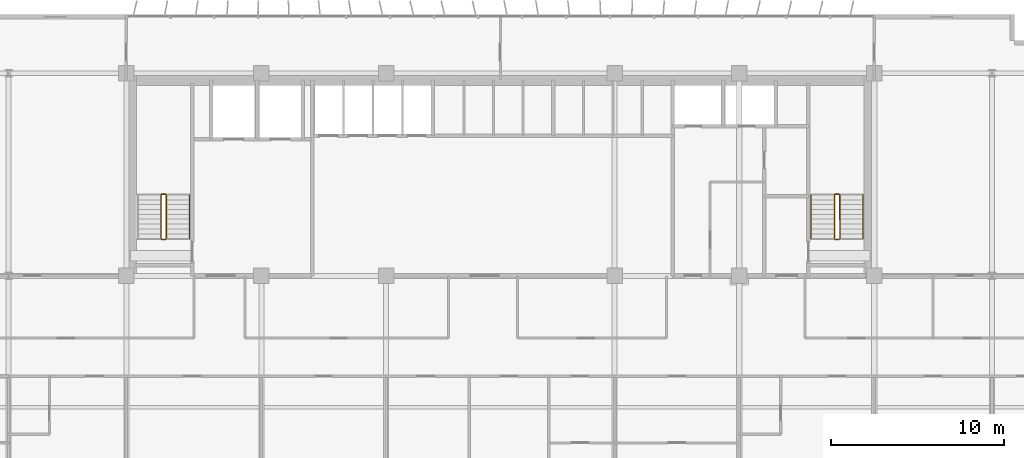
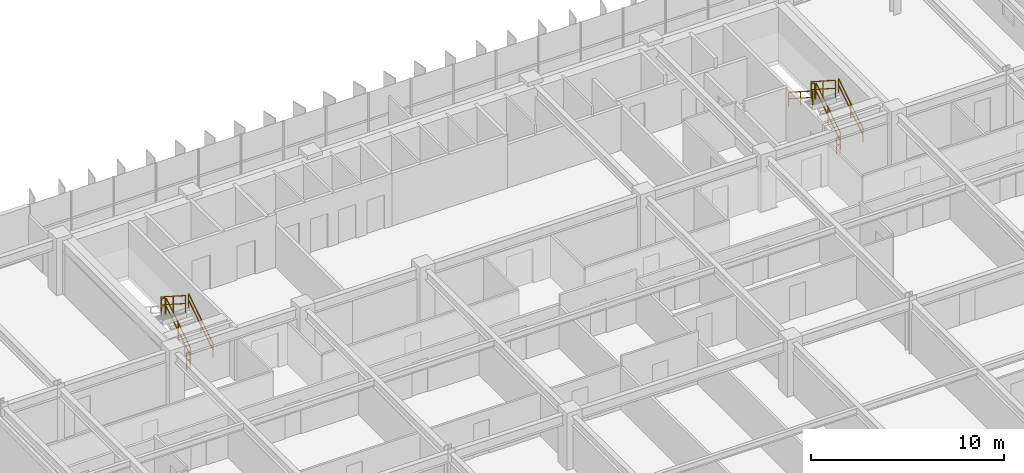
# One storey, part 21 of 22: 11 railings.
"""IFC4 building model written with IfcOpenShell, lengths in metres."""

from ifc_helpers import new_model, si_unit, direction, frame, origin, origin_2d, place, context, subcontext, project, spatial, rectangle, extrude, material, type_object, element, save


model = new_model("IFC4")

# Units and contexts
model_context = context("Model", 3, precision=1e-05, world=origin(), true_north=direction((0.0, 1.0)))
body_context = subcontext(model_context, "Body", "Model", "MODEL_VIEW")
ifc_project = project(units=[si_unit("LENGTHUNIT", "METRE"), si_unit("AREAUNIT", "SQUARE_METRE"), si_unit("VOLUMEUNIT", "CUBIC_METRE"), si_unit("PLANEANGLEUNIT", "RADIAN"), si_unit("MASSUNIT", "GRAM", prefix="KILO")], contexts=[model_context])

# Site, building, storey
site_placement = place(None, origin())
site = spatial("IfcSite", under=ifc_project, at=site_placement, CompositionType="ELEMENT")
building_placement = place(site_placement, origin())
building = spatial("IfcBuilding", under=site, at=building_placement, Name="Trelvane Seafront Commons", CompositionType="ELEMENT")
storey_placement = place(building_placement, frame((0.0, 0.0, 55.89990234375)))
storey = spatial("IfcBuildingStorey", under=building, at=storey_placement, Name="L14", CompositionType="ELEMENT", Elevation=55.89990234375)

# Railings
ifc_material = material(Name="Stainless steel balustrade", Category="steel")
railing_type_1 = type_object("IfcRailingType", Name="ARCH-SRL-GUARD", PredefinedType="GUARDRAIL", material=ifc_material)
railing_1_placement = place(storey_placement, frame((17.89990234375, 35.550048828125, 0.18017578125)))
element("IfcRailing", 1, at=railing_1_placement, inside=storey, type_object=railing_type_1, Name="L14 ST-1 stair guard 1", PredefinedType="GUARDRAIL", context=body_context, shape_type="SweptSolid", body=[
    extrude(rectangle(XDim=0.048095703125, YDim=0.048095703125, at=origin_2d()), frame((0.0, 0.0, 1.076171875), z_axis=(0.0, 0.841199657755, 0.540724639528), x_axis=(-1.0, 0.0, 0.0)), (0.0, 0.0, 1.0), 2.995849609375),
    extrude(rectangle(XDim=0.048095703125, YDim=0.048095703125, at=origin_2d()), frame((0.0, 0.0, 0.572021484375), z_axis=(0.0, 0.841199657755, 0.540724639528), x_axis=(-1.0, 0.0, 0.0)), (0.0, 0.0, 1.0), 2.995849609375),
    extrude(rectangle(XDim=0.0419921875, YDim=0.0419921875, at=origin_2d()), origin(), (0.0, 0.0, 1.0), 1.076171875),
    extrude(rectangle(XDim=0.0419921875, YDim=0.0419921875, at=origin_2d()), frame((0.0, 1.260009765625, 0.81005859375)), (0.0, 0.0, 1.0), 1.076171875),
    extrude(rectangle(XDim=0.0419921875, YDim=0.0419921875, at=origin_2d()), frame((0.0, 2.52001953125, 1.619873046875)), (0.0, 0.0, 1.0), 1.076171875),
])
railing_2_placement = place(storey_placement, frame((17.85009765625, 38.1201171875, 1.800048828125)))
element("IfcRailing", 2, at=railing_2_placement, inside=storey, type_object=railing_type_1, Name="L14 ST-1 stair guard 2", PredefinedType="GUARDRAIL", context=body_context, shape_type="SweptSolid", body=[
    extrude(rectangle(XDim=0.048095703125, YDim=0.048095703125, at=origin_2d()), frame((0.0, 0.0, 1.076171875), z_axis=(-1.0, 0.0, 0.0), x_axis=(0.0, -1.0, 0.0)), (0.0, 0.0, 1.0), 0.2001953125),
    extrude(rectangle(XDim=0.048095703125, YDim=0.048095703125, at=origin_2d()), frame((0.0, 0.0, 0.572021484375), z_axis=(-1.0, 0.0, 0.0), x_axis=(0.0, -1.0, 0.0)), (0.0, 0.0, 1.0), 0.2001953125),
    extrude(rectangle(XDim=0.0419921875, YDim=0.0419921875, at=origin_2d()), origin(), (0.0, 0.0, 1.0), 1.076171875),
    extrude(rectangle(XDim=0.0419921875, YDim=0.0419921875, at=origin_2d()), frame((-0.2001953125, 0.0, 0.0)), (0.0, 0.0, 1.0), 1.076171875),
])
railing_3_placement = place(storey_placement, frame((17.60009765625, 38.070068359375, 1.97998046875)))
element("IfcRailing", 3, at=railing_3_placement, inside=storey, type_object=railing_type_1, Name="L14 ST-1 stair guard 3", PredefinedType="GUARDRAIL", context=body_context, shape_type="SweptSolid", body=[
    extrude(rectangle(XDim=0.048095703125, YDim=0.048095703125, at=origin_2d()), frame((0.0, 0.0, 1.076171875), z_axis=(0.0, -0.841162588446, 0.540782303519), x_axis=(1.0, 0.0, 0.0)), (0.0, 0.0, 1.0), 2.995849609375),
    extrude(rectangle(XDim=0.048095703125, YDim=0.048095703125, at=origin_2d()), frame((0.0, 0.0, 0.572021484375), z_axis=(0.0, -0.841162588446, 0.540782303519), x_axis=(1.0, 0.0, 0.0)), (0.0, 0.0, 1.0), 2.995849609375),
    extrude(rectangle(XDim=0.0419921875, YDim=0.0419921875, at=origin_2d()), origin(), (0.0, 0.0, 1.0), 1.076171875),
    extrude(rectangle(XDim=0.0419921875, YDim=0.0419921875, at=origin_2d()), frame((0.0, -1.260009765625, 0.81005859375)), (0.0, 0.0, 1.0), 1.076171875),
    extrude(rectangle(XDim=0.0419921875, YDim=0.0419921875, at=origin_2d()), frame((0.0, -2.52001953125, 1.6201171875)), (0.0, 0.0, 1.0), 1.076171875),
])
railing_4_placement = place(storey_placement, frame((17.85009765625, 35.5, 0.0)))
element("IfcRailing", 4, at=railing_4_placement, inside=storey, type_object=railing_type_1, Name="L14 ST-1 stair guard 4", PredefinedType="GUARDRAIL", context=body_context, shape_type="SweptSolid", body=[
    extrude(rectangle(XDim=0.048095703125, YDim=0.048095703125, at=origin_2d()), frame((0.0, 0.0, 1.076171875), z_axis=(-1.0, 0.0, 0.0), x_axis=(0.0, -1.0, 0.0)), (0.0, 0.0, 1.0), 0.2001953125),
    extrude(rectangle(XDim=0.048095703125, YDim=0.048095703125, at=origin_2d()), frame((0.0, 0.0, 0.572021484375), z_axis=(-1.0, 0.0, 0.0), x_axis=(0.0, -1.0, 0.0)), (0.0, 0.0, 1.0), 0.2001953125),
    extrude(rectangle(XDim=0.0419921875, YDim=0.0419921875, at=origin_2d()), origin(), (0.0, 0.0, 1.0), 1.076171875),
    extrude(rectangle(XDim=0.0419921875, YDim=0.0419921875, at=origin_2d()), frame((-0.2001953125, 0.0, 0.0)), (0.0, 0.0, 1.0), 1.076171875),
])
railing_5_placement = place(storey_placement, frame((56.800048828125, 35.550048828125, 0.18017578125)))
element("IfcRailing", 5, at=railing_5_placement, inside=storey, type_object=railing_type_1, Name="L14 ST-2 stair guard 1", PredefinedType="GUARDRAIL", context=body_context, shape_type="SweptSolid", body=[
    extrude(rectangle(XDim=0.048095703125, YDim=0.048095703125, at=origin_2d()), frame((0.0, 0.0, 1.076171875), z_axis=(0.0, 0.841199657755, 0.540724639528), x_axis=(-1.0, 0.0, 0.0)), (0.0, 0.0, 1.0), 2.995849609375),
    extrude(rectangle(XDim=0.048095703125, YDim=0.048095703125, at=origin_2d()), frame((0.0, 0.0, 0.572021484375), z_axis=(0.0, 0.841199657755, 0.540724639528), x_axis=(-1.0, 0.0, 0.0)), (0.0, 0.0, 1.0), 2.995849609375),
    extrude(rectangle(XDim=0.0419921875, YDim=0.0419921875, at=origin_2d()), origin(), (0.0, 0.0, 1.0), 1.076171875),
    extrude(rectangle(XDim=0.0419921875, YDim=0.0419921875, at=origin_2d()), frame((0.0, 1.260009765625, 0.81005859375)), (0.0, 0.0, 1.0), 1.076171875),
    extrude(rectangle(XDim=0.0419921875, YDim=0.0419921875, at=origin_2d()), frame((0.0, 2.52001953125, 1.619873046875)), (0.0, 0.0, 1.0), 1.076171875),
])
railing_6_placement = place(storey_placement, frame((56.75, 38.1201171875, 1.800048828125)))
element("IfcRailing", 6, at=railing_6_placement, inside=storey, type_object=railing_type_1, Name="L14 ST-2 stair guard 2", PredefinedType="GUARDRAIL", context=body_context, shape_type="SweptSolid", body=[
    extrude(rectangle(XDim=0.048095703125, YDim=0.048095703125, at=origin_2d()), frame((0.0, 0.0, 1.076171875), z_axis=(-1.0, 0.0, 0.0), x_axis=(0.0, -1.0, 0.0)), (0.0, 0.0, 1.0), 0.199951171875),
    extrude(rectangle(XDim=0.048095703125, YDim=0.048095703125, at=origin_2d()), frame((0.0, 0.0, 0.572021484375), z_axis=(-1.0, 0.0, 0.0), x_axis=(0.0, -1.0, 0.0)), (0.0, 0.0, 1.0), 0.199951171875),
    extrude(rectangle(XDim=0.0419921875, YDim=0.0419921875, at=origin_2d()), origin(), (0.0, 0.0, 1.0), 1.076171875),
    extrude(rectangle(XDim=0.0419921875, YDim=0.0419921875, at=origin_2d()), frame((-0.199951171875, 0.0, 0.0)), (0.0, 0.0, 1.0), 1.076171875),
])
railing_7_placement = place(storey_placement, frame((56.5, 38.070068359375, 1.97998046875)))
element("IfcRailing", 7, at=railing_7_placement, inside=storey, type_object=railing_type_1, Name="L14 ST-2 stair guard 3", PredefinedType="GUARDRAIL", context=body_context, shape_type="SweptSolid", body=[
    extrude(rectangle(XDim=0.048095703125, YDim=0.048095703125, at=origin_2d()), frame((0.0, 0.0, 1.076171875), z_axis=(0.0, -0.841162588446, 0.540782303519), x_axis=(1.0, 0.0, 0.0)), (0.0, 0.0, 1.0), 2.995849609375),
    extrude(rectangle(XDim=0.048095703125, YDim=0.048095703125, at=origin_2d()), frame((0.0, 0.0, 0.572021484375), z_axis=(0.0, -0.841162588446, 0.540782303519), x_axis=(1.0, 0.0, 0.0)), (0.0, 0.0, 1.0), 2.995849609375),
    extrude(rectangle(XDim=0.0419921875, YDim=0.0419921875, at=origin_2d()), origin(), (0.0, 0.0, 1.0), 1.076171875),
    extrude(rectangle(XDim=0.0419921875, YDim=0.0419921875, at=origin_2d()), frame((0.0, -1.260009765625, 0.81005859375)), (0.0, 0.0, 1.0), 1.076171875),
    extrude(rectangle(XDim=0.0419921875, YDim=0.0419921875, at=origin_2d()), frame((0.0, -2.52001953125, 1.6201171875)), (0.0, 0.0, 1.0), 1.076171875),
])
railing_8_placement = place(storey_placement, frame((56.75, 35.5, 0.0)))
element("IfcRailing", 8, at=railing_8_placement, inside=storey, type_object=railing_type_1, Name="L14 ST-2 stair guard 4", PredefinedType="GUARDRAIL", context=body_context, shape_type="SweptSolid", body=[
    extrude(rectangle(XDim=0.048095703125, YDim=0.048095703125, at=origin_2d()), frame((0.0, 0.0, 1.076171875), z_axis=(-1.0, 0.0, 0.0), x_axis=(0.0, -1.0, 0.0)), (0.0, 0.0, 1.0), 0.199951171875),
    extrude(rectangle(XDim=0.048095703125, YDim=0.048095703125, at=origin_2d()), frame((0.0, 0.0, 0.572021484375), z_axis=(-1.0, 0.0, 0.0), x_axis=(0.0, -1.0, 0.0)), (0.0, 0.0, 1.0), 0.199951171875),
    extrude(rectangle(XDim=0.0419921875, YDim=0.0419921875, at=origin_2d()), origin(), (0.0, 0.0, 1.0), 1.076171875),
    extrude(rectangle(XDim=0.0419921875, YDim=0.0419921875, at=origin_2d()), frame((-0.199951171875, 0.0, 0.0)), (0.0, 0.0, 1.0), 1.076171875),
])
railing_type_2 = type_object("IfcRailingType", Name="ARCH-SRL-HAND", PredefinedType="HANDRAIL", material=ifc_material)
for number, where, name in (
    (9, (19.25, 35.550048828125, 0.18017578125), "L14 ST-1 stair handrail 1"),
    (10, (58.14990234375, 35.550048828125, 0.18017578125), "L14 ST-2 stair handrail 1"),
):
    element("IfcRailing", number, at=place(storey_placement, frame(where)), inside=storey, type_object=railing_type_2, Name=name, PredefinedType="HANDRAIL", context=body_context, shape_type="SweptSolid", body=[
        extrude(rectangle(XDim=0.048095703125, YDim=0.048095703125, at=origin_2d()), frame((0.0, 0.0, 0.8759765625), z_axis=(0.0, 0.841199657755, 0.540724639528), x_axis=(-1.0, 0.0, 0.0)), (0.0, 0.0, 1.0), 2.995849609375),
        extrude(rectangle(XDim=0.048095703125, YDim=0.048095703125, at=origin_2d()), frame((0.0, 0.0, 0.468017578125), z_axis=(0.0, 0.841199657755, 0.540724639528), x_axis=(-1.0, 0.0, 0.0)), (0.0, 0.0, 1.0), 2.995849609375),
        extrude(rectangle(XDim=0.0419921875, YDim=0.0419921875, at=origin_2d()), origin(), (0.0, 0.0, 1.0), 0.8759765625),
        extrude(rectangle(XDim=0.0419921875, YDim=0.0419921875, at=origin_2d()), frame((0.0, 1.260009765625, 0.81005859375)), (0.0, 0.0, 1.0), 0.8759765625),
        extrude(rectangle(XDim=0.0419921875, YDim=0.0419921875, at=origin_2d()), frame((0.0, 2.52001953125, 1.619873046875)), (0.0, 0.0, 1.0), 0.8759765625),
    ])
railing_9_placement = place(storey_placement, frame((55.14990234375, 38.070068359375, 1.97998046875)))
element("IfcRailing", 11, at=railing_9_placement, inside=storey, type_object=railing_type_2, Name="L14 ST-2 stair handrail 2", PredefinedType="HANDRAIL", context=body_context, shape_type="SweptSolid", body=[
    extrude(rectangle(XDim=0.048095703125, YDim=0.048095703125, at=origin_2d()), frame((0.0, 0.0, 0.8759765625), z_axis=(0.0, -0.841162588446, 0.540782303519), x_axis=(1.0, 0.0, 0.0)), (0.0, 0.0, 1.0), 2.995849609375),
    extrude(rectangle(XDim=0.048095703125, YDim=0.048095703125, at=origin_2d()), frame((0.0, 0.0, 0.468017578125), z_axis=(0.0, -0.841162588446, 0.540782303519), x_axis=(1.0, 0.0, 0.0)), (0.0, 0.0, 1.0), 2.995849609375),
    extrude(rectangle(XDim=0.0419921875, YDim=0.0419921875, at=origin_2d()), origin(), (0.0, 0.0, 1.0), 0.8759765625),
    extrude(rectangle(XDim=0.0419921875, YDim=0.0419921875, at=origin_2d()), frame((0.0, -1.260009765625, 0.81005859375)), (0.0, 0.0, 1.0), 0.8759765625),
    extrude(rectangle(XDim=0.0419921875, YDim=0.0419921875, at=origin_2d()), frame((0.0, -2.52001953125, 1.6201171875)), (0.0, 0.0, 1.0), 0.8759765625),
])

save(model, "model.ifc")
